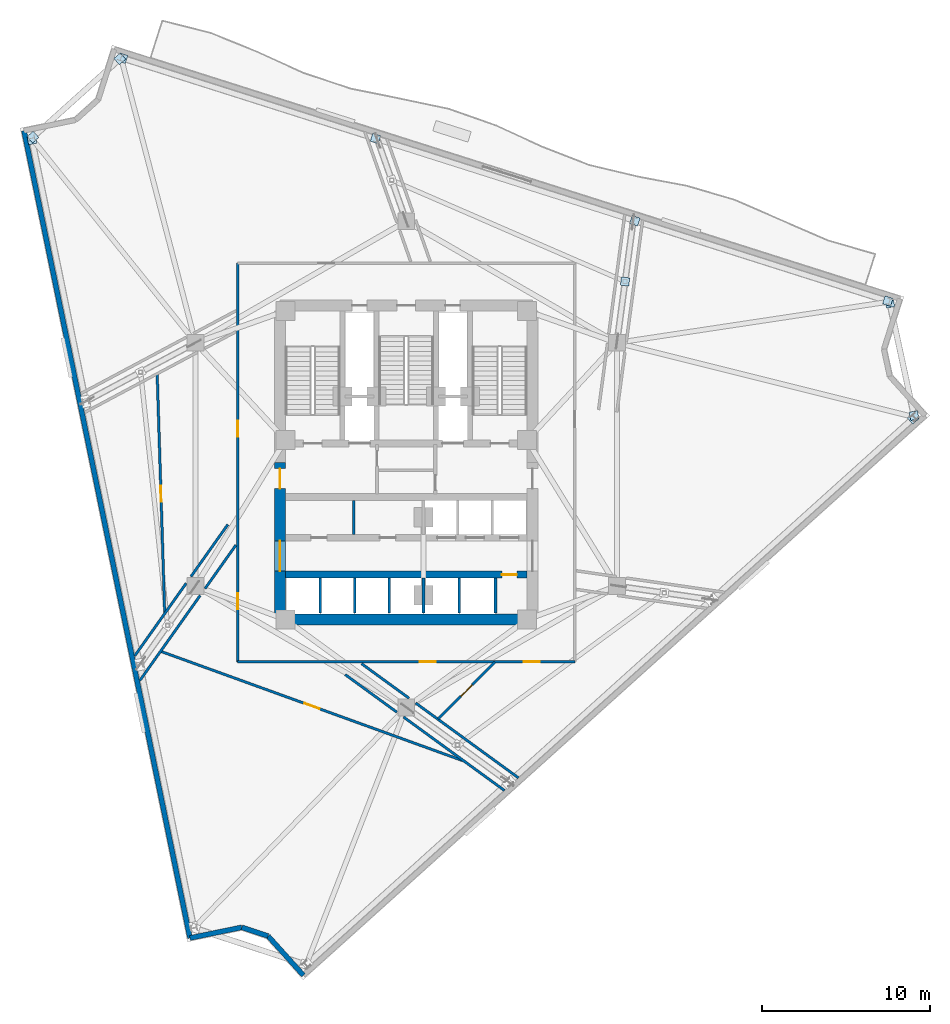
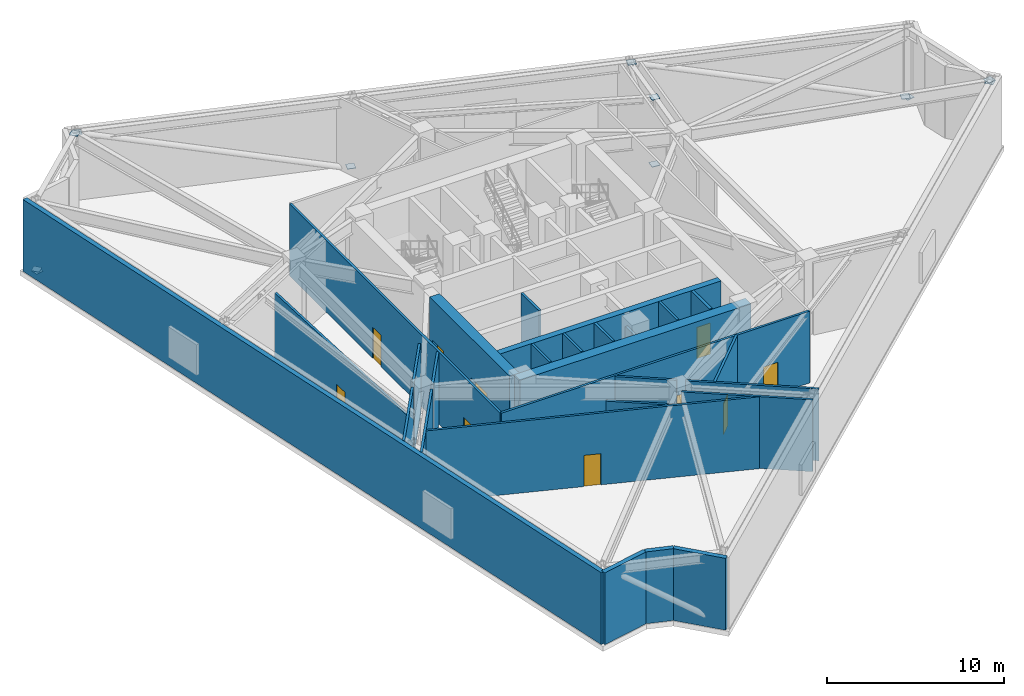
# One storey, part 11 of 16: 27 walls, 12 plates, 10 doors, 10 openings.
"""IFC4 building model written with IfcOpenShell, lengths in metres."""

from ifc_helpers import new_model, si_unit, direction, frame, frame_2d, origin, origin_2d, place, context, subcontext, project, spatial, rectangle, extrude, material, layer, layer_set, type_object, element, fill, save


model = new_model("IFC4")

# Units and contexts
model_context = context("Model", 3, precision=1e-05, world=origin(), true_north=direction((0.0, 1.0)))
body_context = subcontext(model_context, "Body", "Model", "MODEL_VIEW")
ifc_project = project(units=[si_unit("LENGTHUNIT", "METRE"), si_unit("AREAUNIT", "SQUARE_METRE"), si_unit("VOLUMEUNIT", "CUBIC_METRE"), si_unit("PLANEANGLEUNIT", "RADIAN"), si_unit("MASSUNIT", "GRAM", prefix="KILO")], contexts=[model_context])

# Site, building, storey
site_placement = place(None, origin())
site = spatial("IfcSite", under=ifc_project, at=site_placement, CompositionType="ELEMENT")
building_placement = place(site_placement, origin())
building = spatial("IfcBuilding", under=site, at=building_placement, Name="Apsidion Concourse Tower", CompositionType="ELEMENT")
storey_placement = place(building_placement, frame((0.0, 0.0, 227.0)))
storey = spatial("IfcBuildingStorey", under=building, at=storey_placement, Name="L53", CompositionType="ELEMENT", Elevation=227.0)

# Plates
ifc_material_1 = material(Name="Structural steel ASTM A572 Grade 50", Category="steel")
ifc_layer_1 = layer(ifc_material_1, 0.034912109375)
ifc_layer_set_1 = layer_set([ifc_layer_1], Name="Structural steel ASTM A572 Grade 50")
plate_type = type_object("IfcPlateType", Name="PL-ENDCAP-35", PredefinedType="USERDEFINED", material=ifc_layer_set_1)
for number, where, z_axis, x_axis, name in (
    (1, (13.049560546875, 10.901611328125, 0.22265625), (0.0, 0.0, 1.0), (0.132948356962, 0.991122966327, 0.0), "L53 Outrigger Strut Base End-Cap Plate CAPA-03"),
    (2, (13.049560546875, 10.901611328125, 4.83251953125), (0.0, 0.0, 1.0), (0.132948356962, 0.991122966327, 0.0), "L53 Outrigger Strut Top End-Cap Plate CAPB-03"),
    (3, (-22.317138671875, 19.3486328125, 0.1025390625), (0.0, 0.0, 1.0), (-0.201248886216, 0.979540139962, 0.0), "L53 Belt-Truss Base End Plate BTP-01A"),
    (4, (30.226318359375, 2.748779296875, 4.83251953125), (0.0, 0.0, 1.0), (0.743144825477, 0.669130606359, 0.0), "L53 Belt-Truss Top End Plate BTP-07B"),
    (5, (28.83251953125, 9.608154296875, 0.1025390625), (0.0, 0.0, 1.0), (-0.211324796455, 0.977415894286, 0.0), "L53 Belt-Truss Base End Plate BTP-08A"),
    (6, (30.279541015625, 2.91357421875, 4.83251953125), (0.0, 0.0, 1.0), (-0.211324796455, 0.977415894286, 0.0), "L53 Belt-Truss Top End Plate BTP-08B"),
    (7, (28.716064453125, 9.736083984375, 0.1025390625), (0.0, 0.0, 1.0), (-0.953137879774, 0.3025362493, 0.0), "L53 Belt-Truss Base End Plate BTP-09A"),
    (8, (13.634521484375, 14.522705078125, 4.83251953125), (0.0, 0.0, 1.0), (-0.953137879774, 0.3025362493, 0.0), "L53 Belt-Truss Top End Plate BTP-09B"),
    (9, (-1.828369140625, 19.4306640625, 0.1025390625), (0.0, 0.0, 1.0), (-0.953137879774, 0.3025362493, 0.0), "L53 Belt-Truss Base End Plate BTP-11A"),
    (10, (-16.909912109375, 24.21728515625, 4.83251953125), (0.0, 0.0, 1.0), (-0.953137879774, 0.3025362493, 0.0), "L53 Belt-Truss Top End Plate BTP-11B"),
    (11, (-22.262939453125, 19.513671875, 0.1025390625), (0.0, 0.0, 1.0), (0.743144825477, 0.669130606359, 0.0), "L53 Belt-Truss Base End Plate BTP-12A"),
    (12, (-17.07958984375, 24.1806640625, 4.83251953125), (0.0, 0.0, 1.0), (0.743144825477, 0.669130606359, 0.0), "L53 Belt-Truss Top End Plate BTP-12B"),
):
    element("IfcPlate", number, at=place(storey_placement, frame(where, z_axis=z_axis, x_axis=x_axis)), inside=storey, type_object=plate_type, Name=name, ObjectType="FLANGE_PLATE", PredefinedType="USERDEFINED", context=body_context, shape_type="SweptSolid", body=[
        extrude(rectangle(XDim=0.5, YDim=0.5, at=origin_2d()), origin(), (0.0, 0.0, 1.0), 0.034912109375),
    ])

# Walls
ifc_material_2 = material(Name="Precast concrete C40/50", Category="concrete")
ifc_layer_2 = layer(ifc_material_2, 0.300048828125)
ifc_layer_set_2 = layer_set([ifc_layer_2], Name="Precast concrete C40/50")
wall_type_1 = type_object("IfcWallType", Name="WL-EXT-300", PredefinedType="STANDARD", material=ifc_layer_set_2)
wall_1_placement = place(storey_placement, frame((-6.13330078125, -30.46044921875, 0.0), z_axis=(0.0, 0.0, 1.0), x_axis=(-0.669131702868, 0.743143838175, 0.0)))
element("IfcWall", 13, at=wall_1_placement, inside=storey, type_object=wall_type_1, Name="L53 Precast Stone Facade Wall 06", PredefinedType="STANDARD", context=body_context, shape_type="SweptSolid", body=[
    extrude(rectangle(XDim=3.150146484375, YDim=0.300048828125, at=frame_2d((1.5751953125, 0.0))), origin(), (0.0, 0.0, 1.0), 4.949951171875),
])
wall_2_placement = place(storey_placement, frame((-8.2412109375, -28.119384765625, 0.0), z_axis=(0.0, 0.0, 1.0), x_axis=(-0.950036767419, 0.312138015231, 0.0)))
element("IfcWall", 14, at=wall_2_placement, inside=storey, type_object=wall_type_1, Name="L53 Precast Stone Facade Wall 07", PredefinedType="STANDARD", context=body_context, shape_type="SweptSolid", body=[
    extrude(rectangle(XDim=1.648681640625, YDim=0.300048828125, at=frame_2d((0.82421875, 0.0))), origin(), (0.0, 0.0, 1.0), 4.949951171875),
])
wall_3_placement = place(storey_placement, frame((-9.8076171875, -27.604736328125, 0.0), z_axis=(0.0, 0.0, 1.0), x_axis=(-0.979505186658, -0.201418939799, 0.0)))
element("IfcWall", 15, at=wall_3_placement, inside=storey, type_object=wall_type_1, Name="L53 Precast Stone Facade Wall 08", PredefinedType="STANDARD", context=body_context, shape_type="SweptSolid", body=[
    extrude(rectangle(XDim=3.150146484375, YDim=0.300048828125, at=frame_2d((1.5751953125, 0.0))), origin(), (0.0, 0.0, 1.0), 4.949951171875),
])
wall_4_placement = place(storey_placement, frame((-12.893310546875, -28.2392578125, 0.0), z_axis=(0.0, 0.0, 1.0), x_axis=(-0.201426823496, 0.979503565474, 0.0)))
element("IfcWall", 16, at=wall_4_placement, inside=storey, type_object=wall_type_1, Name="L53 Precast Stone Facade Wall 09", PredefinedType="STANDARD", context=body_context, shape_type="SweptSolid", body=[
    extrude(rectangle(XDim=49.145263671875, YDim=0.300048828125, at=frame_2d((24.57275390625, 0.0))), origin(), (0.0, 0.0, 1.0), 4.949951171875),
])
ifc_material_3 = material(Name="Gypsum plasterboard partition")
ifc_layer_3 = layer(ifc_material_3, 0.14990234375)
ifc_layer_set_3 = layer_set([ifc_layer_3], Name="Gypsum plasterboard partition")
wall_type_2 = type_object("IfcWallType", Name="WL-INT-PAR-150", PredefinedType="PARTITIONING", material=ifc_layer_set_3)
wall_5_placement = place(storey_placement, frame((-3.1201171875, -4.179931640625, 0.0), z_axis=(0.0, 0.0, 1.0), x_axis=(0.0, 1.0, 0.0)))
element("IfcWall", 17, at=wall_5_placement, inside=storey, type_object=wall_type_2, Name="L53 Interior Partition WL-L53-B1RV1", PredefinedType="PARTITIONING", context=body_context, shape_type="SweptSolid", body=[
    extrude(rectangle(XDim=2.030029296875, YDim=0.14990234375, at=frame_2d((1.01513671875, 0.0))), origin(), (0.0, 0.0, 1.0), 4.949951171875),
])
for number, where, z_axis, x_axis, name in (
    (18, (-5.125, -8.85009765625, 0.0), (0.0, 0.0, 1.0), (0.0, 1.0, 0.0), "L53 Interior Partition WL-L53-B2DIV-1"),
    (19, (-3.074951171875, -8.85009765625, 0.0), (0.0, 0.0, 1.0), (0.0, 1.0, 0.0), "L53 Interior Partition WL-L53-B2DIV-2"),
    (20, (-1.02490234375, -8.85009765625, 0.0), (0.0, 0.0, 1.0), (0.0, 1.0, 0.0), "L53 Interior Partition WL-L53-B2DIV-3"),
    (21, (3.175048828125, -8.85009765625, 0.0), (0.0, 0.0, 1.0), (0.0, 1.0, 0.0), "L53 Interior Partition WL-L53-SHDIV-1"),
):
    element("IfcWall", number, at=place(storey_placement, frame(where, z_axis=z_axis, x_axis=x_axis)), inside=storey, type_object=wall_type_2, Name=name, PredefinedType="PARTITIONING", context=body_context, shape_type="SweptSolid", body=[
        extrude(rectangle(XDim=2.080078125, YDim=0.14990234375, at=frame_2d((1.0400390625, 0.0))), origin(), (0.0, 0.0, 1.0), 4.949951171875),
    ])

# Wall, openings, doors
wall_6_placement = place(storey_placement, frame((10.050048828125, -11.77490234375, 0.0), z_axis=(0.0, 0.0, 1.0), x_axis=(-1.0, 0.0, 0.0)))
wall_6 = element("IfcWall", 22, at=wall_6_placement, inside=storey, type_object=wall_type_2, Name="L53 Interior Partition WL-L53-CORR-03", PredefinedType="PARTITIONING", context=body_context, shape_type="SweptSolid", body=[
    extrude(rectangle(XDim=20.10009765625, YDim=0.14990234375, at=frame_2d((10.050048828125, 0.0))), origin(), (0.0, 0.0, 1.0), 4.949951171875),
])
opening_1_placement = place(wall_6_placement, frame((8.298583984375, 0.0, 0.0)))
opening_1 = element("IfcOpeningElement", 23, at=opening_1_placement, cuts=wall_6, Name="Opening D-01L", PredefinedType="OPENING", context=body_context, shape_type="SweptSolid", body=[
    extrude(rectangle(XDim=0.949951171875, YDim=2.14990234375, at=frame_2d((0.47509765625, 1.074951171875))), frame((0.0, 0.0849609375, 0.0), z_axis=(0.0, -1.0, 0.0), x_axis=(1.0, 0.0, 0.0)), (0.0, 0.0, 1.0), 0.169921875),
])
opening_2_placement = place(wall_6_placement, frame((2.085693359375, 0.0, 0.0)))
opening_2 = element("IfcOpeningElement", 24, at=opening_2_placement, cuts=wall_6, Name="Opening D-01R", PredefinedType="OPENING", context=body_context, shape_type="SweptSolid", body=[
    extrude(rectangle(XDim=0.949951171875, YDim=2.14990234375, at=frame_2d((0.47509765625, 1.074951171875))), frame((0.0, 0.0849609375, 0.0), z_axis=(0.0, -1.0, 0.0), x_axis=(1.0, 0.0, 0.0)), (0.0, 0.0, 1.0), 0.169921875),
])
ifc_material_4 = material(Name="Brushed stainless steel 316", Category="steel")
door_type_1 = type_object("IfcDoorType", Name="DR-INT-D01L", OperationType="SINGLE_SWING_LEFT", PredefinedType="DOOR", material=ifc_material_4)
door_1_placement = place(opening_1_placement, origin())
door_1 = element("IfcDoor", 25, at=door_1_placement, inside=storey, type_object=door_type_1, Name="L53 Corridor Entry Door 07", OperationType="SINGLE_SWING_LEFT", OverallHeight=2.14990234375, OverallWidth=0.949951171875, PredefinedType="DOOR", context=body_context, shape_type="SweptSolid", body=[
    extrude(rectangle(XDim=0.949951171875, YDim=2.14990234375, at=frame_2d((0.47509765625, 1.074951171875))), frame((0.0, 0.02490234375, 0.0), z_axis=(0.0, -1.0, 0.0), x_axis=(1.0, 0.0, 0.0)), (0.0, 0.0, 1.0), 0.050048828125),
])
fill(opening_1, door_1)
door_type_2 = type_object("IfcDoorType", Name="DR-INT-D01R", OperationType="SINGLE_SWING_RIGHT", PredefinedType="DOOR", material=ifc_material_4)
door_2_placement = place(opening_2_placement, origin())
door_2 = element("IfcDoor", 26, at=door_2_placement, inside=storey, type_object=door_type_2, Name="L53 Corridor Entry Door 08", OperationType="SINGLE_SWING_RIGHT", OverallHeight=2.14990234375, OverallWidth=0.949951171875, PredefinedType="DOOR", context=body_context, shape_type="SweptSolid", body=[
    extrude(rectangle(XDim=0.949951171875, YDim=2.14990234375, at=frame_2d((0.47509765625, 1.074951171875))), frame((0.0, 0.02490234375, 0.0), z_axis=(0.0, -1.0, 0.0), x_axis=(1.0, 0.0, 0.0)), (0.0, 0.0, 1.0), 0.050048828125),
])
fill(opening_2, door_2)

wall_7_placement = place(storey_placement, frame((-10.050048828125, -11.77490234375, 0.0), z_axis=(0.0, 0.0, 1.0), x_axis=(0.0, 1.0, 0.0)))
wall_7 = element("IfcWall", 27, at=wall_7_placement, inside=storey, type_object=wall_type_2, Name="L53 Interior Partition WL-L53-CORR-04", PredefinedType="PARTITIONING", context=body_context, shape_type="SweptSolid", body=[
    extrude(rectangle(XDim=23.77490234375, YDim=0.14990234375, at=frame_2d((11.887451171875, 0.0))), origin(), (0.0, 0.0, 1.0), 4.949951171875),
])
opening_3_placement = place(wall_7_placement, frame((3.126953125, 0.0, 0.0)))
opening_3 = element("IfcOpeningElement", 28, at=opening_3_placement, cuts=wall_7, Name="Opening D-01R", PredefinedType="OPENING", context=body_context, shape_type="SweptSolid", body=[
    extrude(rectangle(XDim=0.949951171875, YDim=2.14990234375, at=frame_2d((0.47509765625, 1.074951171875))), frame((0.0, 0.0849609375, 0.0), z_axis=(0.0, -1.0, 0.0), x_axis=(1.0, 0.0, 0.0)), (0.0, 0.0, 1.0), 0.169921875),
])
opening_4_placement = place(wall_7_placement, frame((13.42626953125, 0.0, 0.0)))
opening_4 = element("IfcOpeningElement", 29, at=opening_4_placement, cuts=wall_7, Name="Opening D-01L", PredefinedType="OPENING", context=body_context, shape_type="SweptSolid", body=[
    extrude(rectangle(XDim=0.949951171875, YDim=2.14990234375, at=frame_2d((0.47509765625, 1.074951171875))), frame((0.0, 0.0849609375, 0.0), z_axis=(0.0, -1.0, 0.0), x_axis=(1.0, 0.0, 0.0)), (0.0, 0.0, 1.0), 0.169921875),
])
door_3_placement = place(opening_4_placement, origin())
door_3 = element("IfcDoor", 30, at=door_3_placement, inside=storey, type_object=door_type_1, Name="L53 Corridor Entry Door 05", OperationType="SINGLE_SWING_LEFT", OverallHeight=2.14990234375, OverallWidth=0.949951171875, PredefinedType="DOOR", context=body_context, shape_type="SweptSolid", body=[
    extrude(rectangle(XDim=0.949951171875, YDim=2.14990234375, at=frame_2d((0.47509765625, 1.074951171875))), frame((0.0, 0.02490234375, 0.0), z_axis=(0.0, -1.0, 0.0), x_axis=(1.0, 0.0, 0.0)), (0.0, 0.0, 1.0), 0.050048828125),
])
fill(opening_4, door_3)
door_4_placement = place(opening_3_placement, origin())
door_4 = element("IfcDoor", 31, at=door_4_placement, inside=storey, type_object=door_type_2, Name="L53 Corridor Entry Door 02", OperationType="SINGLE_SWING_RIGHT", OverallHeight=2.14990234375, OverallWidth=0.949951171875, PredefinedType="DOOR", context=body_context, shape_type="SweptSolid", body=[
    extrude(rectangle(XDim=0.949951171875, YDim=2.14990234375, at=frame_2d((0.47509765625, 1.074951171875))), frame((0.0, 0.02490234375, 0.0), z_axis=(0.0, -1.0, 0.0), x_axis=(1.0, 0.0, 0.0)), (0.0, 0.0, 1.0), 0.050048828125),
])
fill(opening_3, door_4)

# Walls
wall_8_placement = place(storey_placement, frame((-10.63671875, -3.58740234375, 0.0), z_axis=(0.0, 0.0, 1.0), x_axis=(-0.578508759988, -0.815676170191, 0.0)))
element("IfcWall", 32, at=wall_8_placement, inside=storey, type_object=wall_type_2, Name="L53 Interior Partition WL-L53-OTW-01-1-1", PredefinedType="PARTITIONING", context=body_context, shape_type="SweptSolid", body=[
    extrude(rectangle(XDim=3.8037109375, YDim=0.14990234375, at=frame_2d((1.90185546875, 0.0))), origin(), (0.0, 0.0, 1.0), 4.949951171875),
])
wall_9_placement = place(storey_placement, frame((-13.1201171875, -7.089111328125, 0.0), z_axis=(0.0, 0.0, 1.0), x_axis=(-0.578467239775, -0.815705616327, 0.0)))
element("IfcWall", 33, at=wall_9_placement, inside=storey, type_object=wall_type_2, Name="L53 Interior Partition WL-L53-OTW-01-1-2", PredefinedType="PARTITIONING", context=body_context, shape_type="SweptSolid", body=[
    extrude(rectangle(XDim=5.298828125, YDim=0.14990234375, at=frame_2d((2.6494140625, 0.0))), origin(), (0.0, 0.0, 1.0), 4.949951171875),
])
wall_10_placement = place(storey_placement, frame((-10.155029296875, -4.809814453125, 0.0), z_axis=(0.0, 0.0, 1.0), x_axis=(-0.578512130662, -0.815673779569, 0.0)))
element("IfcWall", 34, at=wall_10_placement, inside=storey, type_object=wall_type_2, Name="L53 Interior Partition WL-L53-OTW-01-2-1", PredefinedType="PARTITIONING", context=body_context, shape_type="SweptSolid", body=[
    extrude(rectangle(XDim=3.189208984375, YDim=0.14990234375, at=frame_2d((1.5947265625, 0.0))), origin(), (0.0, 0.0, 1.0), 4.949951171875),
])
wall_11_placement = place(storey_placement, frame((-12.28271484375, -7.81005859375, 0.0), z_axis=(0.0, 0.0, 1.0), x_axis=(-0.57847339943, -0.8157012481, 0.0)))
element("IfcWall", 35, at=wall_11_placement, inside=storey, type_object=wall_type_2, Name="L53 Interior Partition WL-L53-OTW-01-2-2", PredefinedType="PARTITIONING", context=body_context, shape_type="SweptSolid", body=[
    extrude(rectangle(XDim=6.22216796875, YDim=0.14990234375, at=frame_2d((3.111083984375, 0.0))), origin(), (0.0, 0.0, 1.0), 4.949951171875),
])
wall_12_placement = place(storey_placement, frame((-3.638671875, -12.5322265625, 0.0), z_axis=(0.0, 0.0, 1.0), x_axis=(0.808550269933, -0.588427107627, 0.0)))
element("IfcWall", 36, at=wall_12_placement, inside=storey, type_object=wall_type_2, Name="L53 Interior Partition WL-L53-OTW-06-1-1", PredefinedType="PARTITIONING", context=body_context, shape_type="SweptSolid", body=[
    extrude(rectangle(XDim=3.8076171875, YDim=0.14990234375, at=frame_2d((1.90380859375, 0.0))), origin(), (0.0, 0.0, 1.0), 3.998046875),
])
wall_13_placement = place(storey_placement, frame((-0.1650390625, -15.06005859375, 0.0), z_axis=(0.0, 0.0, 1.0), x_axis=(0.808563110208, -0.588409463563, 0.0)))
element("IfcWall", 37, at=wall_13_placement, inside=storey, type_object=wall_type_2, Name="L53 Interior Partition WL-L53-OTW-06-1-2", PredefinedType="PARTITIONING", context=body_context, shape_type="SweptSolid", body=[
    extrude(rectangle(XDim=7.44775390625, YDim=0.14990234375, at=frame_2d((3.723876953125, 0.0))), origin(), (0.0, 0.0, 1.0), 4.949951171875),
])
wall_14_placement = place(storey_placement, frame((-2.665283203125, -11.8798828125, 0.0), z_axis=(0.0, 0.0, 1.0), x_axis=(0.808537003298, -0.588445336711, 0.0)))
element("IfcWall", 38, at=wall_14_placement, inside=storey, type_object=wall_type_2, Name="L53 Interior Partition WL-L53-OTW-06-2-1", PredefinedType="PARTITIONING", context=body_context, shape_type="SweptSolid", body=[
    extrude(rectangle(XDim=3.500732421875, YDim=0.14990234375, at=frame_2d((1.75048828125, 0.0))), origin(), (0.0, 0.0, 1.0), 4.949951171875),
])
wall_15_placement = place(storey_placement, frame((0.56005859375, -14.227294921875, 0.0), z_axis=(0.0, 0.0, 1.0), x_axis=(0.808562045981, -0.588410925969, 0.0)))
element("IfcWall", 39, at=wall_15_placement, inside=storey, type_object=wall_type_2, Name="L53 Interior Partition WL-L53-OTW-06-2-2", PredefinedType="PARTITIONING", context=body_context, shape_type="SweptSolid", body=[
    extrude(rectangle(XDim=7.584228515625, YDim=0.14990234375, at=frame_2d((3.7919921875, 0.0))), origin(), (0.0, 0.0, 1.0), 4.949951171875),
])

# Wall, opening, door
wall_16_placement = place(storey_placement, frame((-14.62744140625, -11.150634765625, 0.0), z_axis=(0.0, 0.0, 1.0), x_axis=(0.940302761683, -0.340339119661, 0.0)))
wall_16 = element("IfcWall", 40, at=wall_16_placement, inside=storey, type_object=wall_type_2, Name="L53 Interior Partition WL-L53-CHD-PLS01", PredefinedType="PARTITIONING", context=body_context, shape_type="SweptSolid", body=[
    extrude(rectangle(XDim=19.16162109375, YDim=0.14990234375, at=frame_2d((9.580810546875, 0.0))), origin(), (0.0, 0.0, 1.0), 4.949951171875),
])
opening_5_placement = place(wall_16_placement, frame((9.105712890625, 0.0, 0.0)))
opening_5 = element("IfcOpeningElement", 41, at=opening_5_placement, cuts=wall_16, Name="Opening D-04L", PredefinedType="OPENING", context=body_context, shape_type="SweptSolid", body=[
    extrude(rectangle(XDim=0.949951171875, YDim=2.14990234375, at=frame_2d((0.47509765625, 1.074951171875))), frame((0.0, 0.0849609375, 0.0), z_axis=(0.0, -1.0, 0.0), x_axis=(1.0, 0.0, 0.0)), (0.0, 0.0, 1.0), 0.169921875),
])
door_type_3 = type_object("IfcDoorType", Name="DR-INT-D04L", OperationType="SINGLE_SWING_LEFT", PredefinedType="DOOR", material=ifc_material_4)
door_5_placement = place(opening_5_placement, origin())
door_5 = element("IfcDoor", 42, at=door_5_placement, inside=storey, type_object=door_type_3, Name="L53 Suite Connecting Door PLS01", OperationType="SINGLE_SWING_LEFT", OverallHeight=2.14990234375, OverallWidth=0.949951171875, PredefinedType="DOOR", context=body_context, shape_type="SweptSolid", body=[
    extrude(rectangle(XDim=0.949951171875, YDim=2.14990234375, at=frame_2d((0.47509765625, 1.074951171875))), frame((0.0, 0.02490234375, 0.0), z_axis=(0.0, -1.0, 0.0), x_axis=(1.0, 0.0, 0.0)), (0.0, 0.0, 1.0), 0.050048828125),
])
fill(opening_5, door_5)

wall_17_placement = place(storey_placement, frame((-14.849609375, 5.38134765625, 0.0), z_axis=(0.0, 0.0, 1.0), x_axis=(0.031456732268, -0.999505114542, 0.0)))
wall_17 = element("IfcWall", 43, at=wall_17_placement, inside=storey, type_object=wall_type_2, Name="L53 Interior Partition WL-L53-CHD-PLS03", PredefinedType="PARTITIONING", context=body_context, shape_type="SweptSolid", body=[
    extrude(rectangle(XDim=14.24951171875, YDim=0.14990234375, at=frame_2d((7.124755859375, 0.0))), origin(), (0.0, 0.0, 1.0), 4.514892578125),
])
opening_6_placement = place(wall_17_placement, frame((6.649658203125, 0.0, 0.0)))
opening_6 = element("IfcOpeningElement", 44, at=opening_6_placement, cuts=wall_17, Name="Opening D-04L", PredefinedType="OPENING", context=body_context, shape_type="SweptSolid", body=[
    extrude(rectangle(XDim=0.949951171875, YDim=2.14990234375, at=frame_2d((0.47509765625, 1.074951171875))), frame((0.0, 0.0849609375, 0.0), z_axis=(0.0, -1.0, 0.0), x_axis=(1.0, 0.0, 0.0)), (0.0, 0.0, 1.0), 0.169921875),
])
door_6_placement = place(opening_6_placement, origin())
door_6 = element("IfcDoor", 45, at=door_6_placement, inside=storey, type_object=door_type_3, Name="L53 Suite Connecting Door PLS03", OperationType="SINGLE_SWING_LEFT", OverallHeight=2.14990234375, OverallWidth=0.949951171875, PredefinedType="DOOR", context=body_context, shape_type="SweptSolid", body=[
    extrude(rectangle(XDim=0.949951171875, YDim=2.14990234375, at=frame_2d((0.47509765625, 1.074951171875))), frame((0.0, 0.02490234375, 0.0), z_axis=(0.0, -1.0, 0.0), x_axis=(1.0, 0.0, 0.0)), (0.0, 0.0, 1.0), 0.050048828125),
])
fill(opening_6, door_6)

wall_18_placement = place(storey_placement, frame((1.90234375, -15.179443359375, 0.0), z_axis=(0.0, 0.0, 1.0), x_axis=(0.707539940183, 0.706673356683, 0.0)))
wall_18 = element("IfcWall", 46, at=wall_18_placement, inside=storey, type_object=wall_type_2, Name="L53 Interior Partition WL-L53-CHD-PLS04", PredefinedType="PARTITIONING", context=body_context, shape_type="SweptSolid", body=[
    extrude(rectangle(XDim=4.789306640625, YDim=0.14990234375, at=frame_2d((2.39453125, 0.0))), origin(), (0.0, 0.0, 1.0), 4.949951171875),
])
opening_7_placement = place(wall_18_placement, frame((1.919677734375, 0.0, 0.0)))
opening_7 = element("IfcOpeningElement", 47, at=opening_7_placement, cuts=wall_18, Name="Opening D-04R", PredefinedType="OPENING", context=body_context, shape_type="SweptSolid", body=[
    extrude(rectangle(XDim=0.949951171875, YDim=2.14990234375, at=frame_2d((0.47509765625, 1.074951171875))), frame((0.0, 0.0849609375, 0.0), z_axis=(0.0, -1.0, 0.0), x_axis=(1.0, 0.0, 0.0)), (0.0, 0.0, 1.0), 0.169921875),
])
door_type_4 = type_object("IfcDoorType", Name="DR-INT-D04R", OperationType="SINGLE_SWING_RIGHT", PredefinedType="DOOR", material=ifc_material_4)
door_7_placement = place(opening_7_placement, origin())
door_7 = element("IfcDoor", 48, at=door_7_placement, inside=storey, type_object=door_type_4, Name="L53 Suite Connecting Door PLS04", OperationType="SINGLE_SWING_RIGHT", OverallHeight=2.14990234375, OverallWidth=0.949951171875, PredefinedType="DOOR", context=body_context, shape_type="SweptSolid", body=[
    extrude(rectangle(XDim=0.949951171875, YDim=2.14990234375, at=frame_2d((0.47509765625, 1.074951171875))), frame((0.0, 0.02490234375, 0.0), z_axis=(0.0, -1.0, 0.0), x_axis=(1.0, 0.0, 0.0)), (0.0, 0.0, 1.0), 0.050048828125),
])
fill(opening_7, door_7)

# Walls
ifc_layer_4 = layer(ifc_material_3, 0.179931640625)
ifc_layer_set_4 = layer_set([ifc_layer_4], Name="Gypsum plasterboard partition")
wall_type_3 = type_object("IfcWallType", Name="WL-INT-PAR-180", PredefinedType="PARTITIONING", material=ifc_layer_set_4)
wall_19_placement = place(storey_placement, frame((1.02490234375, -8.85009765625, 0.0), z_axis=(0.0, 0.0, 1.0), x_axis=(0.0, 1.0, 0.0)))
element("IfcWall", 49, at=wall_19_placement, inside=storey, type_object=wall_type_3, Name="L53 Interior Partition WL-L53-B2END", PredefinedType="PARTITIONING", context=body_context, shape_type="SweptSolid", body=[
    extrude(rectangle(XDim=2.080078125, YDim=0.179931640625, at=frame_2d((1.0400390625, 0.0))), origin(), (0.0, 0.0, 1.0), 3.998046875),
])
wall_20_placement = place(storey_placement, frame((5.324951171875, -8.85009765625, 0.0), z_axis=(0.0, 0.0, 1.0), x_axis=(0.0, 1.0, 0.0)))
element("IfcWall", 50, at=wall_20_placement, inside=storey, type_object=wall_type_3, Name="L53 Interior Partition WL-L53-SHDIV-2", PredefinedType="PARTITIONING", context=body_context, shape_type="SweptSolid", body=[
    extrude(rectangle(XDim=2.080078125, YDim=0.179931640625, at=frame_2d((1.0400390625, 0.0))), origin(), (0.0, 0.0, 1.0), 4.949951171875),
])

# Wall, opening, door
ifc_material_5 = material(Name="Concrete C50/60", Category="concrete")
ifc_layer_5 = layer(ifc_material_5, 0.39990234375)
ifc_layer_set_5 = layer_set([ifc_layer_5], Name="Concrete C50/60")
wall_type_4 = type_object("IfcWallType", Name="WL-SH-400", PredefinedType="SHEAR", material=ifc_layer_set_5)
wall_21_placement = place(storey_placement, frame((-7.199951171875, -6.570068359375, 0.0), z_axis=(0.0, 0.0, 1.0), x_axis=(1.0, 0.0, 0.0)))
wall_21 = element("IfcWall", 51, at=wall_21_placement, inside=storey, type_object=wall_type_4, Name="L53 Central Core Shear Wall LB", PredefinedType="SHEAR", context=body_context, shape_type="SweptSolid", body=[
    extrude(rectangle(XDim=14.39990234375, YDim=0.39990234375, at=frame_2d((7.199951171875, 0.0))), origin(), (0.0, 0.0, 1.0), 4.949951171875),
])
opening_8_placement = place(wall_21_placement, frame((12.909912109375, 0.0, 0.0)))
opening_8 = element("IfcOpeningElement", 52, at=opening_8_placement, cuts=wall_21, Name="Opening D-05L", PredefinedType="OPENING", context=body_context, shape_type="SweptSolid", body=[
    extrude(rectangle(XDim=0.8798828125, YDim=2.14990234375, at=frame_2d((0.43994140625, 1.074951171875))), frame((0.0, 0.2099609375, 0.0), z_axis=(0.0, -1.0, 0.0), x_axis=(1.0, 0.0, 0.0)), (0.0, 0.0, 1.0), 0.419921875),
])
door_type_5 = type_object("IfcDoorType", Name="DR-INT-D05L", OperationType="SINGLE_SWING_LEFT", PredefinedType="DOOR", material=ifc_material_4)
door_8_placement = place(opening_8_placement, origin())
door_8 = element("IfcDoor", 53, at=door_8_placement, inside=storey, type_object=door_type_5, Name="L53 Cleaners Store Door", OperationType="SINGLE_SWING_LEFT", OverallHeight=2.14990234375, OverallWidth=0.8798828125, PredefinedType="DOOR", context=body_context, shape_type="SweptSolid", body=[
    extrude(rectangle(XDim=0.8798828125, YDim=2.14990234375, at=frame_2d((0.43994140625, 1.074951171875))), frame((0.0, 0.02490234375, 0.0), z_axis=(0.0, -1.0, 0.0), x_axis=(1.0, 0.0, 0.0)), (0.0, 0.0, 1.0), 0.050048828125),
])
fill(opening_8, door_8)

# Wall, openings, doors
ifc_layer_6 = layer(ifc_material_5, 0.64990234375)
ifc_layer_set_6 = layer_set([ifc_layer_6], Name="Concrete C50/60")
wall_type_5 = type_object("IfcWallType", Name="WL-SH-650", PredefinedType="SHEAR", material=ifc_layer_set_6)
wall_22_placement = place(storey_placement, frame((-7.52490234375, -8.925048828125, 0.0), z_axis=(0.0, 0.0, 1.0), x_axis=(0.0, 1.0, 0.0)))
wall_22 = element("IfcWall", 54, at=wall_22_placement, inside=storey, type_object=wall_type_5, Name="L53 Central Core Shear Wall WS", PredefinedType="SHEAR", context=body_context, shape_type="SweptSolid", body=[
    extrude(rectangle(XDim=9.025146484375, YDim=0.64990234375, at=frame_2d((4.5126953125, 0.0))), origin(), (0.0, 0.0, 1.0), 4.949951171875),
])
opening_9_placement = place(wall_22_placement, frame((2.56494140625, 0.0, 0.0)))
opening_9 = element("IfcOpeningElement", 55, at=opening_9_placement, cuts=wall_22, Name="Opening D-06D", PredefinedType="OPENING", context=body_context, shape_type="SweptSolid", body=[
    extrude(rectangle(XDim=1.800048828125, YDim=2.199951171875, at=frame_2d((0.89990234375, 1.10009765625))), frame((0.0, 0.3349609375, 0.0), z_axis=(0.0, -1.0, 0.0), x_axis=(1.0, 0.0, 0.0)), (0.0, 0.0, 1.0), 0.669921875),
])
opening_10_placement = place(wall_22_placement, frame((7.47509765625, 0.0, 0.0)))
opening_10 = element("IfcOpeningElement", 56, at=opening_10_placement, cuts=wall_22, Name="Opening D-FFL", PredefinedType="OPENING", context=body_context, shape_type="SweptSolid", body=[
    extrude(rectangle(XDim=1.199951171875, YDim=2.14990234375, at=frame_2d((0.60009765625, 1.074951171875))), frame((0.0, 0.3349609375, 0.0), z_axis=(0.0, -1.0, 0.0), x_axis=(1.0, 0.0, 0.0)), (0.0, 0.0, 1.0), 0.669921875),
])
door_type_6 = type_object("IfcDoorType", Name="DR-INT-D06D", OperationType="DOUBLE_DOOR_SINGLE_SWING", PredefinedType="DOOR", material=ifc_material_4)
door_9_placement = place(opening_9_placement, origin())
door_9 = element("IfcDoor", 57, at=door_9_placement, inside=storey, type_object=door_type_6, Name="L53 Passenger Lift Lobby WS Portal Door", OperationType="DOUBLE_DOOR_SINGLE_SWING", OverallHeight=2.199951171875, OverallWidth=1.800048828125, PredefinedType="DOOR", context=body_context, shape_type="SweptSolid", body=[
    extrude(rectangle(XDim=1.800048828125, YDim=2.199951171875, at=frame_2d((0.89990234375, 1.10009765625))), frame((0.0, 0.02490234375, 0.0), z_axis=(0.0, -1.0, 0.0), x_axis=(1.0, 0.0, 0.0)), (0.0, 0.0, 1.0), 0.050048828125),
])
fill(opening_9, door_9)
door_type_7 = type_object("IfcDoorType", Name="DR-INT-FFL", OperationType="SINGLE_SWING_LEFT", PredefinedType="DOOR", material=ifc_material_4)
door_10_placement = place(opening_10_placement, origin())
door_10 = element("IfcDoor", 58, at=door_10_placement, inside=storey, type_object=door_type_7, Name="L53 Firefighting Lift Lobby FF1 Door", OperationType="SINGLE_SWING_LEFT", OverallHeight=2.14990234375, OverallWidth=1.199951171875, PredefinedType="DOOR", context=body_context, shape_type="SweptSolid", body=[
    extrude(rectangle(XDim=1.199951171875, YDim=2.14990234375, at=frame_2d((0.60009765625, 1.074951171875))), frame((0.0, 0.02490234375, 0.0), z_axis=(0.0, -1.0, 0.0), x_axis=(1.0, 0.0, 0.0)), (0.0, 0.0, 1.0), 0.050048828125),
])
fill(opening_10, door_10)

# Wall
wall_23_placement = place(storey_placement, frame((-7.52490234375, -9.25, 0.0), z_axis=(0.0, 0.0, 1.0), x_axis=(1.0, 0.0, 0.0)))
element("IfcWall", 59, at=wall_23_placement, inside=storey, type_object=wall_type_5, Name="L53 Central Core Shear Wall S", PredefinedType="SHEAR", context=body_context, shape_type="SweptSolid", body=[
    extrude(rectangle(XDim=15.0498046875, YDim=0.64990234375, at=frame_2d((7.52490234375, 0.0))), origin(), (0.0, 0.0, 1.0), 4.949951171875),
])

save(model, "model.ifc")
